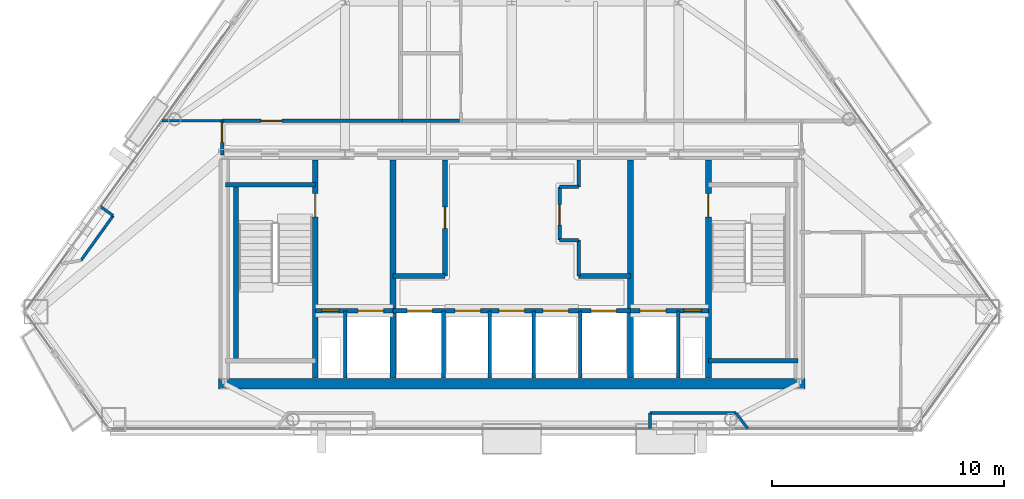
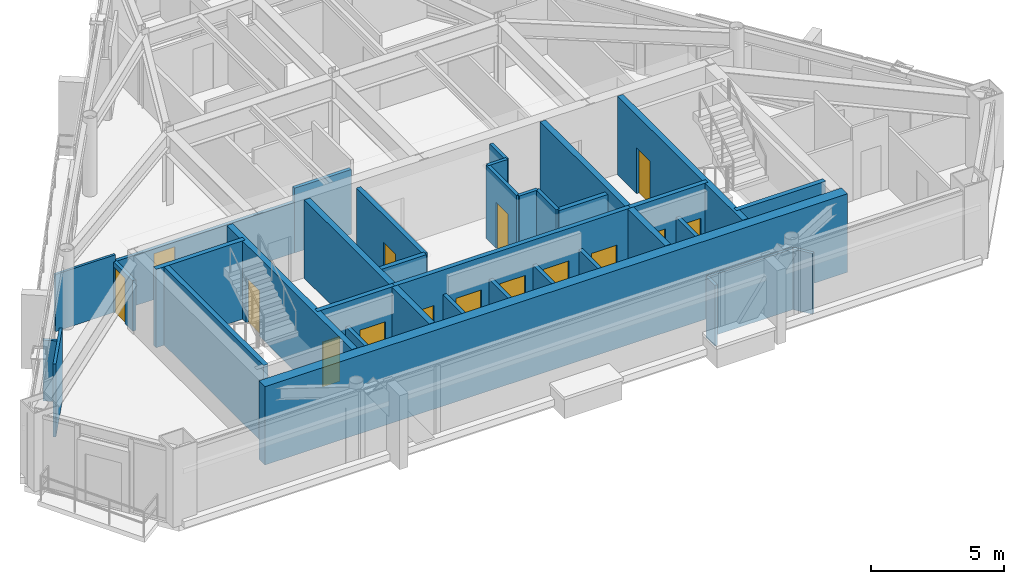
# One storey, part 7 of 11: 34 walls, 15 doors, 15 openings.
"""IFC4 building model written with IfcOpenShell, lengths in metres."""

from ifc_helpers import new_model, si_unit, direction, frame, frame_2d, origin, place, context, subcontext, project, spatial, rectangle, extrude, material, layer, layer_set, type_object, element, fill, save


model = new_model("IFC4")

# Units and contexts
model_context = context("Model", 3, precision=1e-05, world=origin(), true_north=direction((0.0, 1.0)))
body_context = subcontext(model_context, "Body", "Model", "MODEL_VIEW")
ifc_project = project(units=[si_unit("LENGTHUNIT", "METRE"), si_unit("AREAUNIT", "SQUARE_METRE"), si_unit("VOLUMEUNIT", "CUBIC_METRE"), si_unit("PLANEANGLEUNIT", "RADIAN"), si_unit("MASSUNIT", "GRAM", prefix="KILO")], contexts=[model_context])

# Site, building, storey
site_placement = place(None, origin())
site = spatial("IfcSite", under=ifc_project, at=site_placement, CompositionType="ELEMENT")
building_placement = place(site_placement, origin())
building = spatial("IfcBuilding", under=site, at=building_placement, Name="Talgorran Terracotta Tower", CompositionType="ELEMENT")
storey_placement = place(building_placement, frame((0.0, 0.0, 196.5)))
storey = spatial("IfcBuildingStorey", under=building, at=storey_placement, Name="L51", CompositionType="ELEMENT", Elevation=196.5)

# Walls
ifc_material_1 = material(Name="Concrete C50/60", Category="concrete")
ifc_layer_1 = layer(ifc_material_1, 0.199951171875, Name="WT_CORE_200")
ifc_layer_set_1 = layer_set([ifc_layer_1], Name="Concrete C50/60")
wall_type_1 = type_object("IfcWallType", Name="WT_CORE_200", PredefinedType="SOLIDWALL", material=ifc_layer_set_1)
wall_1_placement = place(storey_placement, frame((-12.35009765625, -5.52001953125, 0.0), z_axis=(0.0, 0.0, 1.0), x_axis=(1.0, 0.0, 0.0)))
element("IfcWall", 1, at=wall_1_placement, inside=storey, type_object=wall_type_1, Name="WL-L51-CW-ST1-N", PredefinedType="SOLIDWALL", context=body_context, shape_type="SweptSolid", body=[
    extrude(rectangle(XDim=3.8701171875, YDim=0.199951171875, at=frame_2d((1.93505859375, 0.0))), origin(), (0.0, 0.0, 1.0), 3.60009765625),
])
wall_2_placement = place(storey_placement, frame((-11.89990234375, -13.10009765625, 0.0), z_axis=(0.0, 0.0, 1.0), x_axis=(0.0, 1.0, 0.0)))
element("IfcWall", 2, at=wall_2_placement, inside=storey, type_object=wall_type_1, Name="WL-L51-CW-ST1-W", PredefinedType="SOLIDWALL", context=body_context, shape_type="SweptSolid", body=[
    extrude(rectangle(XDim=7.580078125, YDim=0.199951171875, at=frame_2d((3.7900390625, 0.0))), origin(), (0.0, 0.0, 1.0), 3.60009765625),
])
wall_3_placement = place(storey_placement, frame((8.47998046875, -13.10009765625, 0.0), z_axis=(0.0, 0.0, 1.0), x_axis=(1.0, 0.0, 0.0)))
element("IfcWall", 3, at=wall_3_placement, inside=storey, type_object=wall_type_1, Name="WL-L51-CW-ST2-S", PredefinedType="SOLIDWALL", context=body_context, shape_type="SweptSolid", body=[
    extrude(rectangle(XDim=3.8701171875, YDim=0.199951171875, at=frame_2d((1.93505859375, 0.0))), origin(), (0.0, 0.0, 1.0), 3.60009765625),
])

# Wall, openings, doors
wall_4_placement = place(storey_placement, frame((-8.47998046875, -10.949951171875, 0.0), z_axis=(0.0, 0.0, 1.0), x_axis=(1.0, 0.0, 0.0)))
wall_4 = element("IfcWall", 4, at=wall_4_placement, inside=storey, type_object=wall_type_1, Name="WL-L51-CW-H-SBW", PredefinedType="SOLIDWALL", context=body_context, shape_type="SweptSolid", body=[
    extrude(rectangle(XDim=3.35986328125, YDim=0.199951171875, at=frame_2d((1.679931640625, 0.0))), origin(), (0.0, 0.0, 1.0), 3.60009765625),
])
opening_1_placement = place(wall_4_placement, frame((0.280029296875, 0.0, 0.0)))
opening_1 = element("IfcOpeningElement", 5, at=opening_1_placement, cuts=wall_4, Name="Opening DR-RSW", PredefinedType="OPENING", context=body_context, shape_type="SweptSolid", body=[
    extrude(rectangle(XDim=0.756, YDim=2.054048828125, at=frame_2d((0.375, 1.027099609375))), frame((0.0, 0.10986328125, 0.0), z_axis=(0.0, -1.0, 0.0), x_axis=(1.0, 0.0, 0.0)), (0.0, 0.0, 1.0), 0.219970703125),
])
opening_2_placement = place(wall_4_placement, frame((1.85009765625, 0.0, 0.0)))
opening_2 = element("IfcOpeningElement", 6, at=opening_2_placement, cuts=wall_4, Name="Opening LD-FFL1", PredefinedType="OPENING", context=body_context, shape_type="SweptSolid", body=[
    extrude(rectangle(XDim=1.10609765625, YDim=2.10409765625, at=frame_2d((0.550048828125, 1.052001953125))), frame((0.0, 0.10986328125, 0.0), z_axis=(0.0, -1.0, 0.0), x_axis=(1.0, 0.0, 0.0)), (0.0, 0.0, 1.0), 0.219970703125),
])
ifc_material_2 = material(Name="Brushed Stainless Steel Grade 304", Category="steel")
door_type_1 = type_object("IfcDoorType", Name="DT_LIFT_LD1100", OperationType="DOUBLE_DOOR_SLIDING", PredefinedType="DOOR", material=ifc_material_2)
door_1_placement = place(opening_2_placement, origin())
door_1 = element("IfcDoor", 7, at=door_1_placement, inside=storey, type_object=door_type_1, Name="L51 Lift Landing Door LD-FFL1", OperationType="DOUBLE_DOOR_SLIDING", OverallHeight=2.10009765625, OverallWidth=1.10009765625, PredefinedType="DOOR", context=body_context, shape_type="SweptSolid", body=[
    extrude(rectangle(XDim=1.10009765625, YDim=2.10009765625, at=frame_2d((0.550048828125, 1.050048828125))), frame((0.0, 0.02490234375, 0.0), z_axis=(0.0, -1.0, 0.0), x_axis=(1.0, 0.0, 0.0)), (0.0, 0.0, 1.0), 0.050048828125),
])
fill(opening_2, door_1)
ifc_material_3 = material(Name="Fire-Rated Pressed Steel", Category="steel")
door_type_2 = type_object("IfcDoorType", Name="DT_RISER_750", OperationType="NOTDEFINED", PredefinedType="DOOR", material=ifc_material_3)
door_2_placement = place(opening_1_placement, origin())
door_2 = element("IfcDoor", 8, at=door_2_placement, inside=storey, type_object=door_type_2, Name="DR-RSW", OperationType="SINGLE_SWING_LEFT", OverallHeight=2.050048828125, OverallWidth=0.75, PredefinedType="DOOR", context=body_context, shape_type="SweptSolid", body=[
    extrude(rectangle(XDim=0.75, YDim=2.050048828125, at=frame_2d((0.375, 1.02490234375))), frame((0.0, 0.02490234375, 0.0), z_axis=(0.0, -1.0, 0.0), x_axis=(1.0, 0.0, 0.0)), (0.0, 0.0, 1.0), 0.050048828125),
])
fill(opening_1, door_2)

wall_5_placement = place(storey_placement, frame((-5.1201171875, -10.949951171875, 0.0), z_axis=(0.0, 0.0, 1.0), x_axis=(1.0, 0.0, 0.0)))
wall_5 = element("IfcWall", 9, at=wall_5_placement, inside=storey, type_object=wall_type_1, Name="WL-L51-CW-H-SBC", PredefinedType="SOLIDWALL", context=body_context, shape_type="SweptSolid", body=[
    extrude(rectangle(XDim=10.240234375, YDim=0.199951171875, at=frame_2d((5.1201171875, 0.0))), origin(), (0.0, 0.0, 1.0), 3.60009765625),
])
opening_3_placement = place(wall_5_placement, frame((0.60009765625, 0.0, 0.0)))
opening_3 = element("IfcOpeningElement", 10, at=opening_3_placement, cuts=wall_5, Name="Opening LD-OB1", PredefinedType="OPENING", context=body_context, shape_type="SweptSolid", body=[
    extrude(rectangle(XDim=1.10609765625, YDim=2.10409765625, at=frame_2d((0.550048828125, 1.052001953125))), frame((0.0, 0.10986328125, 0.0), z_axis=(0.0, -1.0, 0.0), x_axis=(1.0, 0.0, 0.0)), (0.0, 0.0, 1.0), 0.219970703125),
])
opening_4_placement = place(wall_5_placement, frame((2.669921875, 0.0, 0.0)))
opening_4 = element("IfcOpeningElement", 11, at=opening_4_placement, cuts=wall_5, Name="Opening LD-PLH1", PredefinedType="OPENING", context=body_context, shape_type="SweptSolid", body=[
    extrude(rectangle(XDim=1.10609765625, YDim=2.10409765625, at=frame_2d((0.550048828125, 1.052001953125))), frame((0.0, 0.10986328125, 0.0), z_axis=(0.0, -1.0, 0.0), x_axis=(1.0, 0.0, 0.0)), (0.0, 0.0, 1.0), 0.219970703125),
])
opening_5_placement = place(wall_5_placement, frame((4.570068359375, 0.0, 0.0)))
opening_5 = element("IfcOpeningElement", 12, at=opening_5_placement, cuts=wall_5, Name="Opening LD-PLH2", PredefinedType="OPENING", context=body_context, shape_type="SweptSolid", body=[
    extrude(rectangle(XDim=1.10609765625, YDim=2.10409765625, at=frame_2d((0.550048828125, 1.052001953125))), frame((0.0, 0.10986328125, 0.0), z_axis=(0.0, -1.0, 0.0), x_axis=(1.0, 0.0, 0.0)), (0.0, 0.0, 1.0), 0.219970703125),
])
opening_6_placement = place(wall_5_placement, frame((6.469970703125, 0.0, 0.0)))
opening_6 = element("IfcOpeningElement", 13, at=opening_6_placement, cuts=wall_5, Name="Opening LD-PLH3", PredefinedType="OPENING", context=body_context, shape_type="SweptSolid", body=[
    extrude(rectangle(XDim=1.10609765625, YDim=2.10409765625, at=frame_2d((0.550048828125, 1.052001953125))), frame((0.0, 0.10986328125, 0.0), z_axis=(0.0, -1.0, 0.0), x_axis=(1.0, 0.0, 0.0)), (0.0, 0.0, 1.0), 0.219970703125),
])
opening_7_placement = place(wall_5_placement, frame((8.5400390625, 0.0, 0.0)))
opening_7 = element("IfcOpeningElement", 14, at=opening_7_placement, cuts=wall_5, Name="Opening LD-SVL1", PredefinedType="OPENING", context=body_context, shape_type="SweptSolid", body=[
    extrude(rectangle(XDim=1.10609765625, YDim=2.10409765625, at=frame_2d((0.550048828125, 1.052001953125))), frame((0.0, 0.10986328125, 0.0), z_axis=(0.0, -1.0, 0.0), x_axis=(1.0, 0.0, 0.0)), (0.0, 0.0, 1.0), 0.219970703125),
])
door_3_placement = place(opening_3_placement, origin())
door_3 = element("IfcDoor", 15, at=door_3_placement, inside=storey, type_object=door_type_1, Name="L51 Lift Landing Door LD-OB1", OperationType="DOUBLE_DOOR_SLIDING", OverallHeight=2.10009765625, OverallWidth=1.10009765625, PredefinedType="DOOR", context=body_context, shape_type="SweptSolid", body=[
    extrude(rectangle(XDim=1.10009765625, YDim=2.10009765625, at=frame_2d((0.550048828125, 1.050048828125))), frame((0.0, 0.02490234375, 0.0), z_axis=(0.0, -1.0, 0.0), x_axis=(1.0, 0.0, 0.0)), (0.0, 0.0, 1.0), 0.050048828125),
])
fill(opening_3, door_3)
door_4_placement = place(opening_4_placement, origin())
door_4 = element("IfcDoor", 16, at=door_4_placement, inside=storey, type_object=door_type_1, Name="L51 Lift Landing Door LD-PLH1", OperationType="DOUBLE_DOOR_SLIDING", OverallHeight=2.10009765625, OverallWidth=1.10009765625, PredefinedType="DOOR", context=body_context, shape_type="SweptSolid", body=[
    extrude(rectangle(XDim=1.10009765625, YDim=2.10009765625, at=frame_2d((0.550048828125, 1.050048828125))), frame((0.0, 0.02490234375, 0.0), z_axis=(0.0, -1.0, 0.0), x_axis=(1.0, 0.0, 0.0)), (0.0, 0.0, 1.0), 0.050048828125),
])
fill(opening_4, door_4)
door_5_placement = place(opening_5_placement, origin())
door_5 = element("IfcDoor", 17, at=door_5_placement, inside=storey, type_object=door_type_1, Name="L51 Lift Landing Door LD-PLH2", OperationType="DOUBLE_DOOR_SLIDING", OverallHeight=2.10009765625, OverallWidth=1.10009765625, PredefinedType="DOOR", context=body_context, shape_type="SweptSolid", body=[
    extrude(rectangle(XDim=1.10009765625, YDim=2.10009765625, at=frame_2d((0.550048828125, 1.050048828125))), frame((0.0, 0.02490234375, 0.0), z_axis=(0.0, -1.0, 0.0), x_axis=(1.0, 0.0, 0.0)), (0.0, 0.0, 1.0), 0.050048828125),
])
fill(opening_5, door_5)
door_6_placement = place(opening_6_placement, origin())
door_6 = element("IfcDoor", 18, at=door_6_placement, inside=storey, type_object=door_type_1, Name="L51 Lift Landing Door LD-PLH3", OperationType="DOUBLE_DOOR_SLIDING", OverallHeight=2.10009765625, OverallWidth=1.10009765625, PredefinedType="DOOR", context=body_context, shape_type="SweptSolid", body=[
    extrude(rectangle(XDim=1.10009765625, YDim=2.10009765625, at=frame_2d((0.550048828125, 1.050048828125))), frame((0.0, 0.02490234375, 0.0), z_axis=(0.0, -1.0, 0.0), x_axis=(1.0, 0.0, 0.0)), (0.0, 0.0, 1.0), 0.050048828125),
])
fill(opening_6, door_6)
door_7_placement = place(opening_7_placement, origin())
door_7 = element("IfcDoor", 19, at=door_7_placement, inside=storey, type_object=door_type_1, Name="L51 Lift Landing Door LD-SVL1", OperationType="DOUBLE_DOOR_SLIDING", OverallHeight=2.10009765625, OverallWidth=1.10009765625, PredefinedType="DOOR", context=body_context, shape_type="SweptSolid", body=[
    extrude(rectangle(XDim=1.10009765625, YDim=2.10009765625, at=frame_2d((0.550048828125, 1.050048828125))), frame((0.0, 0.02490234375, 0.0), z_axis=(0.0, -1.0, 0.0), x_axis=(1.0, 0.0, 0.0)), (0.0, 0.0, 1.0), 0.050048828125),
])
fill(opening_7, door_7)

wall_6_placement = place(storey_placement, frame((5.1201171875, -10.949951171875, 0.0), z_axis=(0.0, 0.0, 1.0), x_axis=(1.0, 0.0, 0.0)))
wall_6 = element("IfcWall", 20, at=wall_6_placement, inside=storey, type_object=wall_type_1, Name="WL-L51-CW-H-SBE", PredefinedType="SOLIDWALL", context=body_context, shape_type="SweptSolid", body=[
    extrude(rectangle(XDim=3.35986328125, YDim=0.199951171875, at=frame_2d((1.679931640625, 0.0))), origin(), (0.0, 0.0, 1.0), 3.60009765625),
])
opening_8_placement = place(wall_6_placement, frame((0.419921875, 0.0, 0.0)))
opening_8 = element("IfcOpeningElement", 21, at=opening_8_placement, cuts=wall_6, Name="Opening LD-FFL2", PredefinedType="OPENING", context=body_context, shape_type="SweptSolid", body=[
    extrude(rectangle(XDim=1.10609765625, YDim=2.10409765625, at=frame_2d((0.550048828125, 1.052001953125))), frame((0.0, 0.10986328125, 0.0), z_axis=(0.0, -1.0, 0.0), x_axis=(1.0, 0.0, 0.0)), (0.0, 0.0, 1.0), 0.219970703125),
])
opening_9_placement = place(wall_6_placement, frame((2.300048828125, 0.0, 0.0)))
opening_9 = element("IfcOpeningElement", 22, at=opening_9_placement, cuts=wall_6, Name="Opening DR-RSE", PredefinedType="OPENING", context=body_context, shape_type="SweptSolid", body=[
    extrude(rectangle(XDim=0.756, YDim=2.054048828125, at=frame_2d((0.375, 1.027099609375))), frame((0.0, 0.10986328125, 0.0), z_axis=(0.0, -1.0, 0.0), x_axis=(1.0, 0.0, 0.0)), (0.0, 0.0, 1.0), 0.219970703125),
])
door_8_placement = place(opening_8_placement, origin())
door_8 = element("IfcDoor", 23, at=door_8_placement, inside=storey, type_object=door_type_1, Name="L51 Lift Landing Door LD-FFL2", OperationType="DOUBLE_DOOR_SLIDING", OverallHeight=2.10009765625, OverallWidth=1.10009765625, PredefinedType="DOOR", context=body_context, shape_type="SweptSolid", body=[
    extrude(rectangle(XDim=1.10009765625, YDim=2.10009765625, at=frame_2d((0.550048828125, 1.050048828125))), frame((0.0, 0.02490234375, 0.0), z_axis=(0.0, -1.0, 0.0), x_axis=(1.0, 0.0, 0.0)), (0.0, 0.0, 1.0), 0.050048828125),
])
fill(opening_8, door_8)
door_9_placement = place(opening_9_placement, origin())
door_9 = element("IfcDoor", 24, at=door_9_placement, inside=storey, type_object=door_type_2, Name="DR-RSE", OperationType="SINGLE_SWING_RIGHT", OverallHeight=2.050048828125, OverallWidth=0.75, PredefinedType="DOOR", context=body_context, shape_type="SweptSolid", body=[
    extrude(rectangle(XDim=0.75, YDim=2.050048828125, at=frame_2d((0.375, 1.02490234375))), frame((0.0, 0.02490234375, 0.0), z_axis=(0.0, -1.0, 0.0), x_axis=(1.0, 0.0, 0.0)), (0.0, 0.0, 1.0), 0.050048828125),
])
fill(opening_9, door_9)

# Wall, opening, door
wall_7_placement = place(storey_placement, frame((-2.8798828125, -9.449951171875, 0.0), z_axis=(0.0, 0.0, 1.0), x_axis=(0.0, 1.0, 0.0)))
wall_7 = element("IfcWall", 25, at=wall_7_placement, inside=storey, type_object=wall_type_1, Name="WL-L51-CW-V-W3", PredefinedType="SOLIDWALL", context=body_context, shape_type="SweptSolid", body=[
    extrude(rectangle(XDim=5.0, YDim=0.199951171875, at=frame_2d((2.5, 0.0))), origin(), (0.0, 0.0, 1.0), 3.35009765625),
])
opening_10_placement = place(wall_7_placement, frame((2.050048828125, 0.0, 0.0)))
opening_10 = element("IfcOpeningElement", 26, at=opening_10_placement, cuts=wall_7, Name="Opening DR-FRPLL-A", PredefinedType="OPENING", context=body_context, shape_type="SweptSolid", body=[
    extrude(rectangle(XDim=0.925921875, YDim=2.10409765625, at=frame_2d((0.4599609375, 1.052001953125))), frame((0.0, 0.10986328125, 0.0), z_axis=(0.0, -1.0, 0.0), x_axis=(1.0, 0.0, 0.0)), (0.0, 0.0, 1.0), 0.219970703125),
])
ifc_material_4 = material(Name="Solid-Core Painted Timber", Category="wood")
door_type_3 = type_object("IfcDoorType", Name="DT_INT_920", OperationType="NOTDEFINED", PredefinedType="DOOR", material=ifc_material_4)
door_10_placement = place(opening_10_placement, origin())
door_10 = element("IfcDoor", 27, at=door_10_placement, inside=storey, type_object=door_type_3, Name="DR-FRPLL-A", OperationType="SINGLE_SWING_LEFT", OverallHeight=2.10009765625, OverallWidth=0.919921875, PredefinedType="DOOR", context=body_context, shape_type="SweptSolid", body=[
    extrude(rectangle(XDim=0.919921875, YDim=2.10009765625, at=frame_2d((0.4599609375, 1.050048828125))), frame((0.0, 0.02490234375, 0.0), z_axis=(0.0, -1.0, 0.0), x_axis=(1.0, 0.0, 0.0)), (0.0, 0.0, 1.0), 0.050048828125),
])
fill(opening_10, door_10)

# Walls
for number, where, z_axis, x_axis, name in (
    (28, (-5.1201171875, -9.449951171875, 0.0), (0.0, 0.0, 1.0), (1.0, 0.0, 0.0), "WL-L51-CW-H-W4"),
    (29, (2.8798828125, -9.449951171875, 0.0), (0.0, 0.0, 1.0), (1.0, 0.0, 0.0), "WL-L51-CW-H-E4"),
):
    element("IfcWall", number, at=place(storey_placement, frame(where, z_axis=z_axis, x_axis=x_axis)), inside=storey, type_object=wall_type_1, Name=name, PredefinedType="SOLIDWALL", context=body_context, shape_type="SweptSolid", body=[
        extrude(rectangle(XDim=2.240234375, YDim=0.199951171875, at=frame_2d((1.1201171875, 0.0))), origin(), (0.0, 0.0, 1.0), 3.35009765625),
    ])

# Wall, opening, door
ifc_layer_2 = layer(ifc_material_1, 0.25, Name="WT_CORE_250")
ifc_layer_set_2 = layer_set([ifc_layer_2], Name="Concrete C50/60")
wall_type_2 = type_object("IfcWallType", Name="WT_CORE_250", PredefinedType="SHEAR", material=ifc_layer_set_2)
wall_8_placement = place(storey_placement, frame((-8.47998046875, -13.85009765625, 0.0), z_axis=(0.0, 0.0, 1.0), x_axis=(0.0, 1.0, 0.0)))
wall_8 = element("IfcWall", 30, at=wall_8_placement, inside=storey, type_object=wall_type_2, Name="WL-L51-CW-V-W1", PredefinedType="SHEAR", context=body_context, shape_type="SweptSolid", body=[
    extrude(rectangle(XDim=9.400146484375, YDim=0.25, at=frame_2d((4.7001953125, 0.0))), origin(), (0.0, 0.0, 1.0), 3.60009765625),
])
opening_11_placement = place(wall_8_placement, frame((6.949951171875, 0.0, 0.0)))
opening_11 = element("IfcOpeningElement", 31, at=opening_11_placement, cuts=wall_8, Name="Opening DR-ST01", PredefinedType="OPENING", context=body_context, shape_type="SweptSolid", body=[
    extrude(rectangle(XDim=1.006, YDim=2.10409765625, at=frame_2d((0.5, 1.052001953125))), frame((0.0, 0.135009765625, 0.0), z_axis=(0.0, -1.0, 0.0), x_axis=(1.0, 0.0, 0.0)), (0.0, 0.0, 1.0), 0.27001953125),
])
door_type_4 = type_object("IfcDoorType", Name="DT_FIRE_1000", OperationType="NOTDEFINED", PredefinedType="DOOR", material=ifc_material_3)
door_11_placement = place(opening_11_placement, origin())
door_11 = element("IfcDoor", 32, at=door_11_placement, inside=storey, type_object=door_type_4, Name="DR-ST01", OperationType="SINGLE_SWING_LEFT", OverallHeight=2.10009765625, OverallWidth=1.0, PredefinedType="DOOR", context=body_context, shape_type="SweptSolid", body=[
    extrude(rectangle(XDim=1.0, YDim=2.10009765625, at=frame_2d((0.5, 1.050048828125))), frame((0.0, 0.02490234375, 0.0), z_axis=(0.0, -1.0, 0.0), x_axis=(1.0, 0.0, 0.0)), (0.0, 0.0, 1.0), 0.050048828125),
])
fill(opening_11, door_11)

wall_9_placement = place(storey_placement, frame((8.47998046875, -13.85009765625, 0.0), z_axis=(0.0, 0.0, 1.0), x_axis=(0.0, 1.0, 0.0)))
wall_9 = element("IfcWall", 33, at=wall_9_placement, inside=storey, type_object=wall_type_2, Name="WL-L51-CW-V-E1", PredefinedType="SHEAR", context=body_context, shape_type="SweptSolid", body=[
    extrude(rectangle(XDim=9.400146484375, YDim=0.25, at=frame_2d((4.7001953125, 0.0))), origin(), (0.0, 0.0, 1.0), 3.60009765625),
])
opening_12_placement = place(wall_9_placement, frame((6.949951171875, 0.0, 0.0)))
opening_12 = element("IfcOpeningElement", 34, at=opening_12_placement, cuts=wall_9, Name="Opening DR-ST02", PredefinedType="OPENING", context=body_context, shape_type="SweptSolid", body=[
    extrude(rectangle(XDim=1.006, YDim=2.10409765625, at=frame_2d((0.5, 1.052001953125))), frame((0.0, 0.135009765625, 0.0), z_axis=(0.0, -1.0, 0.0), x_axis=(1.0, 0.0, 0.0)), (0.0, 0.0, 1.0), 0.27001953125),
])
door_12_placement = place(opening_12_placement, origin())
door_12 = element("IfcDoor", 35, at=door_12_placement, inside=storey, type_object=door_type_4, Name="DR-ST02", OperationType="SINGLE_SWING_RIGHT", OverallHeight=2.10009765625, OverallWidth=1.0, PredefinedType="DOOR", context=body_context, shape_type="SweptSolid", body=[
    extrude(rectangle(XDim=1.0, YDim=2.10009765625, at=frame_2d((0.5, 1.050048828125))), frame((0.0, 0.02490234375, 0.0), z_axis=(0.0, -1.0, 0.0), x_axis=(1.0, 0.0, 0.0)), (0.0, 0.0, 1.0), 0.050048828125),
])
fill(opening_12, door_12)

# Walls
for number, where, z_axis, x_axis, name in (
    (36, (-5.1201171875, -13.85009765625, 0.0), (0.0, 0.0, 1.0), (0.0, 1.0, 0.0), "WL-L51-CW-V-W2"),
    (37, (5.1201171875, -13.85009765625, 0.0), (0.0, 0.0, 1.0), (0.0, 1.0, 0.0), "WL-L51-CW-V-E2"),
):
    element("IfcWall", number, at=place(storey_placement, frame(where, z_axis=z_axis, x_axis=x_axis)), inside=storey, type_object=wall_type_2, Name=name, PredefinedType="SHEAR", context=body_context, shape_type="SweptSolid", body=[
        extrude(rectangle(XDim=9.400146484375, YDim=0.25, at=frame_2d((4.7001953125, 0.0))), origin(), (0.0, 0.0, 1.0), 3.60009765625),
    ])
ifc_material_5 = material(Name="Concrete C65/80", Category="concrete")
ifc_layer_3 = layer(ifc_material_5, 0.449951171875, Name="WT_CORE_EXT")
ifc_layer_set_3 = layer_set([ifc_layer_3], Name="Concrete C65/80")
wall_type_3 = type_object("IfcWallType", Name="WT_CORE_EXT", PredefinedType="SHEAR", material=ifc_layer_set_3)
wall_10_placement = place(storey_placement, frame((-12.64990234375, -14.10009765625, 0.0), z_axis=(0.0, 0.0, 1.0), x_axis=(1.0, 0.0, 0.0)))
element("IfcWall", 38, at=wall_10_placement, inside=storey, type_object=wall_type_3, Name="WL-L51-CW-OUT-S", PredefinedType="SHEAR", context=body_context, shape_type="SweptSolid", body=[
    extrude(rectangle(XDim=25.2998046875, YDim=0.449951171875, at=frame_2d((12.64990234375, 0.0))), origin(), (0.0, 0.0, 1.0), 3.60009765625),
])
ifc_material_6 = material(Name="Fire-Rated Steel Stud Plasterboard", Category="steel")
ifc_layer_4 = layer(ifc_material_6, 0.14990234375, Name="WT_FIRE_150")
ifc_layer_set_4 = layer_set([ifc_layer_4], Name="Fire-Rated Steel Stud Plasterboard")
wall_type_4 = type_object("IfcWallType", Name="WT_FIRE_150", PredefinedType="PARTITIONING", material=ifc_layer_set_4)
wall_11_placement = place(storey_placement, frame((2.8798828125, -9.449951171875, 0.0), z_axis=(0.0, 0.0, 1.0), x_axis=(0.0, 1.0, 0.0)))
element("IfcWall", 39, at=wall_11_placement, inside=storey, type_object=wall_type_4, Name="WL-L51-CW-V-E3A", PredefinedType="PARTITIONING", context=body_context, shape_type="SweptSolid", body=[
    extrude(rectangle(XDim=1.550048828125, YDim=0.14990234375, at=frame_2d((0.77490234375, 0.0))), origin(), (0.0, 0.0, 1.0), 3.35009765625),
])
wall_12_placement = place(storey_placement, frame((2.06005859375, -7.89990234375, 0.0), z_axis=(0.0, 0.0, 1.0), x_axis=(1.0, 0.0, 0.0)))
element("IfcWall", 40, at=wall_12_placement, inside=storey, type_object=wall_type_4, Name="WL-L51-CW-H-E3B", PredefinedType="PARTITIONING", context=body_context, shape_type="SweptSolid", body=[
    extrude(rectangle(XDim=0.81982421875, YDim=0.14990234375, at=frame_2d((0.409912109375, 0.0))), origin(), (0.0, 0.0, 1.0), 3.35009765625),
])

# Wall, opening, door
wall_13_placement = place(storey_placement, frame((2.06005859375, -7.89990234375, 0.0), z_axis=(0.0, 0.0, 1.0), x_axis=(0.0, 1.0, 0.0)))
wall_13 = element("IfcWall", 41, at=wall_13_placement, inside=storey, type_object=wall_type_4, Name="WL-L51-CW-V-E3C", PredefinedType="PARTITIONING", context=body_context, shape_type="SweptSolid", body=[
    extrude(rectangle(XDim=2.2998046875, YDim=0.14990234375, at=frame_2d((1.14990234375, 0.0))), origin(), (0.0, 0.0, 1.0), 3.35009765625),
])
opening_13_placement = place(wall_13_placement, frame((0.64990234375, 0.0, 0.0)))
opening_13 = element("IfcOpeningElement", 42, at=opening_13_placement, cuts=wall_13, Name="Opening DR-FRPLM-B", PredefinedType="OPENING", context=body_context, shape_type="SweptSolid", body=[
    extrude(rectangle(XDim=0.8858828125, YDim=2.10409765625, at=frame_2d((0.43994140625, 1.052001953125))), frame((0.0, 0.0849609375, 0.0), z_axis=(0.0, -1.0, 0.0), x_axis=(1.0, 0.0, 0.0)), (0.0, 0.0, 1.0), 0.169921875),
])
door_type_5 = type_object("IfcDoorType", Name="DT_INT_880", OperationType="NOTDEFINED", PredefinedType="DOOR", material=ifc_material_4)
door_13_placement = place(opening_13_placement, origin())
door_13 = element("IfcDoor", 43, at=door_13_placement, inside=storey, type_object=door_type_5, Name="DR-FRPLM-B", OperationType="SINGLE_SWING_RIGHT", OverallHeight=2.10009765625, OverallWidth=0.8798828125, PredefinedType="DOOR", context=body_context, shape_type="SweptSolid", body=[
    extrude(rectangle(XDim=0.8798828125, YDim=2.10009765625, at=frame_2d((0.43994140625, 1.050048828125))), frame((0.0, 0.02490234375, 0.0), z_axis=(0.0, -1.0, 0.0), x_axis=(1.0, 0.0, 0.0)), (0.0, 0.0, 1.0), 0.050048828125),
])
fill(opening_13, door_13)

# Walls
wall_14_placement = place(storey_placement, frame((2.06005859375, -5.60009765625, 0.0), z_axis=(0.0, 0.0, 1.0), x_axis=(1.0, 0.0, 0.0)))
element("IfcWall", 44, at=wall_14_placement, inside=storey, type_object=wall_type_4, Name="WL-L51-CW-H-E3D", PredefinedType="PARTITIONING", context=body_context, shape_type="SweptSolid", body=[
    extrude(rectangle(XDim=0.81982421875, YDim=0.14990234375, at=frame_2d((0.409912109375, 0.0))), origin(), (0.0, 0.0, 1.0), 3.35009765625),
])
wall_15_placement = place(storey_placement, frame((2.8798828125, -5.60009765625, 0.0), z_axis=(0.0, 0.0, 1.0), x_axis=(0.0, 1.0, 0.0)))
element("IfcWall", 45, at=wall_15_placement, inside=storey, type_object=wall_type_4, Name="WL-L51-CW-V-E3E", PredefinedType="PARTITIONING", context=body_context, shape_type="SweptSolid", body=[
    extrude(rectangle(XDim=1.150146484375, YDim=0.14990234375, at=frame_2d((0.5751953125, 0.0))), origin(), (0.0, 0.0, 1.0), 3.35009765625),
])

# Wall, opening, door
wall_16_placement = place(storey_placement, frame((-12.5, -2.760009765625, 0.0), z_axis=(0.0, 0.0, 1.0), x_axis=(1.0, 0.0, 0.0)))
wall_16 = element("IfcWall", 46, at=wall_16_placement, inside=storey, type_object=wall_type_4, Name="WL-L51-W-L51-R03", PredefinedType="PARTITIONING", context=body_context, shape_type="SweptSolid", body=[
    extrude(rectangle(XDim=7.760009765625, YDim=0.14990234375, at=frame_2d((3.8798828125, 0.0))), origin(), (0.0, 0.0, 1.0), 2.324951171875),
])
opening_14_placement = place(wall_16_placement, frame((1.67529296875, 0.0, 0.0)))
opening_14 = element("IfcOpeningElement", 47, at=opening_14_placement, cuts=wall_16, Name="Opening DR-L51-R07", PredefinedType="OPENING", context=body_context, shape_type="SweptSolid", body=[
    extrude(rectangle(XDim=0.90590234375, YDim=2.10409765625, at=frame_2d((0.449951171875, 1.052001953125))), frame((0.0, 0.0849609375, 0.0), z_axis=(0.0, -1.0, 0.0), x_axis=(1.0, 0.0, 0.0)), (0.0, 0.0, 1.0), 0.169921875),
])
ifc_material_7 = material(Name="Fire-Rated Timber Core", Category="wood")
door_type_6 = type_object("IfcDoorType", Name="DT_FIRE_900", OperationType="NOTDEFINED", PredefinedType="DOOR", material=ifc_material_7)
door_14_placement = place(opening_14_placement, origin())
door_14 = element("IfcDoor", 48, at=door_14_placement, inside=storey, type_object=door_type_6, Name="DR-L51-R07", OperationType="SINGLE_SWING_LEFT", OverallHeight=2.10009765625, OverallWidth=0.89990234375, PredefinedType="DOOR", context=body_context, shape_type="SweptSolid", body=[
    extrude(rectangle(XDim=0.89990234375, YDim=2.10009765625, at=frame_2d((0.449951171875, 1.050048828125))), frame((0.0, 0.02490234375, 0.0), z_axis=(0.0, -1.0, 0.0), x_axis=(1.0, 0.0, 0.0)), (0.0, 0.0, 1.0), 0.050048828125),
])
fill(opening_14, door_14)

# Wall
wall_17_placement = place(storey_placement, frame((-4.738037109375, -2.760009765625, 0.0), z_axis=(0.0, 0.0, 1.0), x_axis=(1.0, 0.0, 0.0)))
element("IfcWall", 49, at=wall_17_placement, inside=storey, type_object=wall_type_4, Name="WL-L51-W-L51-R04", PredefinedType="PARTITIONING", context=body_context, shape_type="SweptSolid", body=[
    extrude(rectangle(XDim=2.47607421875, YDim=0.14990234375, at=frame_2d((1.238037109375, 0.0))), origin(), (0.0, 0.0, 1.0), 2.969482421875),
])

# Wall, opening, door
wall_18_placement = place(storey_placement, frame((-12.5, -4.239990234375, 0.0), z_axis=(0.0, 0.0, 1.0), x_axis=(0.0, 1.0, 0.0)))
wall_18 = element("IfcWall", 50, at=wall_18_placement, inside=storey, type_object=wall_type_4, Name="WL-L51-W-L51-R01", PredefinedType="PARTITIONING", context=body_context, shape_type="SweptSolid", body=[
    extrude(rectangle(XDim=1.47998046875, YDim=0.14990234375, at=frame_2d((0.739990234375, 0.0))), origin(), (0.0, 0.0, 1.0), 2.324951171875),
])
opening_15_placement = place(wall_18_placement, frame((0.56005859375, 0.0, 0.0)))
opening_15 = element("IfcOpeningElement", 51, at=opening_15_placement, cuts=wall_18, Name="Opening DR-L51-R01", PredefinedType="OPENING", context=body_context, shape_type="SweptSolid", body=[
    extrude(rectangle(XDim=0.826068359375, YDim=2.10409765625, at=frame_2d((0.41015625, 1.052001953125))), frame((0.0, 0.0849609375, 0.0), z_axis=(0.0, -1.0, 0.0), x_axis=(1.0, 0.0, 0.0)), (0.0, 0.0, 1.0), 0.169921875),
])
ifc_material_8 = material(Name="Moisture-Resistant Solid Timber", Category="wood")
door_type_7 = type_object("IfcDoorType", Name="DT_INT_820", OperationType="NOTDEFINED", PredefinedType="DOOR", material=ifc_material_8)
door_15_placement = place(opening_15_placement, origin())
door_15 = element("IfcDoor", 52, at=door_15_placement, inside=storey, type_object=door_type_7, Name="DR-L51-R01", OperationType="SINGLE_SWING_LEFT", OverallHeight=2.10009765625, OverallWidth=0.820068359375, PredefinedType="DOOR", context=body_context, shape_type="SweptSolid", body=[
    extrude(rectangle(XDim=0.820068359375, YDim=2.10009765625, at=frame_2d((0.41015625, 1.050048828125))), frame((0.0, 0.02490234375, 0.0), z_axis=(0.0, -1.0, 0.0), x_axis=(1.0, 0.0, 0.0)), (0.0, 0.0, 1.0), 0.050048828125),
])
fill(opening_15, door_15)

# Walls
ifc_material_9 = material(Name="Lightweight Steel Stud Partition", Category="steel")
ifc_layer_5 = layer(ifc_material_9, 0.10498046875, Name="WT_PART_110")
ifc_layer_set_5 = layer_set([ifc_layer_5], Name="Lightweight Steel Stud Partition")
wall_type_5 = type_object("IfcWallType", Name="WT_PART_110", PredefinedType="PARTITIONING", material=ifc_layer_set_5)
wall_19_placement = place(storey_placement, frame((-15.0947265625, -2.760009765625, 0.0), z_axis=(0.0, 0.0, 1.0), x_axis=(1.0, 0.0, 0.0)))
element("IfcWall", 53, at=wall_19_placement, inside=storey, type_object=wall_type_5, Name="WL-L51-W-L51-R08", PredefinedType="PARTITIONING", context=body_context, shape_type="SweptSolid", body=[
    extrude(rectangle(XDim=2.5947265625, YDim=0.10498046875, at=frame_2d((1.29736328125, 0.0))), origin(), (0.0, 0.0, 1.0), 2.625),
])
ifc_material_10 = material(Name="Insulated Steel Stud Plasterboard", Category="steel")
ifc_layer_6 = layer(ifc_material_10, 0.1201171875, Name="WT_PART_120")
ifc_layer_set_6 = layer_set([ifc_layer_6], Name="Insulated Steel Stud Plasterboard")
wall_type_6 = type_object("IfcWallType", Name="WT_PART_120", PredefinedType="PARTITIONING", material=ifc_layer_set_6)
wall_20_placement = place(storey_placement, frame((5.95849609375, -15.361083984375, 0.0), z_axis=(0.0, 0.0, 1.0), x_axis=(1.0, 0.0, 0.0)))
element("IfcWall", 54, at=wall_20_placement, inside=storey, type_object=wall_type_6, Name="WL-L51-BW-L51-06", PredefinedType="PARTITIONING", context=body_context, shape_type="SweptSolid", body=[
    extrude(rectangle(XDim=3.7109375, YDim=0.1201171875, at=frame_2d((1.85546875, 0.0))), origin(), (0.0, 0.0, 1.0), 2.7919921875),
])
wall_21_placement = place(storey_placement, frame((-17.197509765625, -6.84716796875, 0.0), z_axis=(0.0, 0.0, 1.0), x_axis=(-0.583963896956, -0.811779629611, 0.0)))
element("IfcWall", 55, at=wall_21_placement, inside=storey, type_object=wall_type_6, Name="WL-L51-BW-L51-08", PredefinedType="PARTITIONING", context=body_context, shape_type="SweptSolid", body=[
    extrude(rectangle(XDim=2.3779296875, YDim=0.1201171875, at=frame_2d((1.18896484375, 0.0))), origin(), (0.0, 0.0, 1.0), 3.35009765625),
])
wall_22_placement = place(storey_placement, frame((9.66943359375, -15.361083984375, 0.0), z_axis=(0.0, 0.0, 1.0), x_axis=(0.605553776309, -0.795804388023, 0.0)))
element("IfcWall", 56, at=wall_22_placement, inside=storey, type_object=wall_type_6, Name="WL-L51-BW-L51-04", PredefinedType="PARTITIONING", context=body_context, shape_type="SweptSolid", body=[
    extrude(rectangle(XDim=0.841796875, YDim=0.1201171875, at=frame_2d((0.4208984375, 0.0))), origin(), (0.0, 0.0, 1.0), 2.7919921875),
])
wall_23_placement = place(storey_placement, frame((5.95849609375, -16.031005859375, 0.0), z_axis=(0.0, 0.0, 1.0), x_axis=(0.0, 1.0, 0.0)))
element("IfcWall", 57, at=wall_23_placement, inside=storey, type_object=wall_type_6, Name="WL-L51-BW-L51-05", PredefinedType="PARTITIONING", context=body_context, shape_type="SweptSolid", body=[
    extrude(rectangle(XDim=0.669921875, YDim=0.1201171875, at=frame_2d((0.3349609375, 0.0))), origin(), (0.0, 0.0, 1.0), 2.7919921875),
])
wall_24_placement = place(storey_placement, frame((-17.7412109375, -6.4560546875, 0.0), z_axis=(0.0, 0.0, 1.0), x_axis=(0.811783169955, -0.583958975423, 0.0)))
element("IfcWall", 58, at=wall_24_placement, inside=storey, type_object=wall_type_6, Name="WL-L51-BW-L51-07", PredefinedType="PARTITIONING", context=body_context, shape_type="SweptSolid", body=[
    extrude(rectangle(XDim=0.669677734375, YDim=0.1201171875, at=frame_2d((0.3349609375, 0.0))), origin(), (0.0, 0.0, 1.0), 2.7919921875),
])
ifc_material_11 = material(Name="Fire-Rated Shaftwall")
ifc_layer_7 = layer(ifc_material_11, 0.159912109375, Name="WT_PART_150")
ifc_layer_set_7 = layer_set([ifc_layer_7], Name="Fire-Rated Shaftwall")
wall_type_7 = type_object("IfcWallType", Name="WT_PART_150", PredefinedType="PARTITIONING", material=ifc_layer_set_7)
for number, where, z_axis, x_axis, name in (
    (59, (-7.179931640625, -13.85009765625, 0.0), (0.0, 0.0, 1.0), (0.0, 1.0, 0.0), "WL-L51-CW-RSW"),
    (60, (7.179931640625, -13.85009765625, 0.0), (0.0, 0.0, 1.0), (0.0, 1.0, 0.0), "WL-L51-CW-RSE"),
    (61, (-2.949951171875, -13.85009765625, 0.0), (0.0, 0.0, 1.0), (0.0, 1.0, 0.0), "WL-L51-CW-OB-E"),
    (62, (2.949951171875, -13.85009765625, 0.0), (0.0, 0.0, 1.0), (0.0, 1.0, 0.0), "WL-L51-CW-SV-W"),
    (63, (-0.949951171875, -13.85009765625, 0.0), (0.0, 0.0, 1.0), (0.0, 1.0, 0.0), "WL-L51-CW-PLH-D1"),
    (64, (0.949951171875, -13.85009765625, 0.0), (0.0, 0.0, 1.0), (0.0, 1.0, 0.0), "WL-L51-CW-PLH-D2"),
):
    element("IfcWall", number, at=place(storey_placement, frame(where, z_axis=z_axis, x_axis=x_axis)), inside=storey, type_object=wall_type_7, Name=name, PredefinedType="PARTITIONING", context=body_context, shape_type="SweptSolid", body=[
        extrude(rectangle(XDim=2.900146484375, YDim=0.159912109375, at=frame_2d((1.4501953125, 0.0))), origin(), (0.0, 0.0, 1.0), 2.47509765625),
    ])

save(model, "model.ifc")
